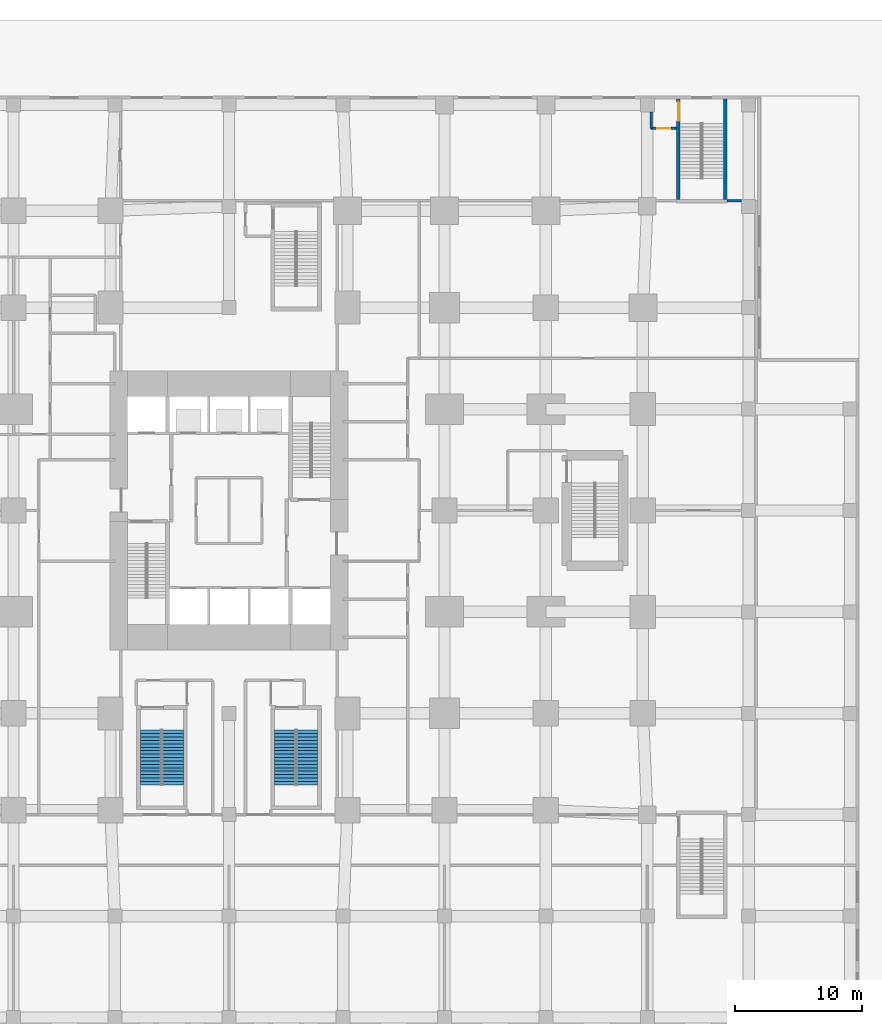
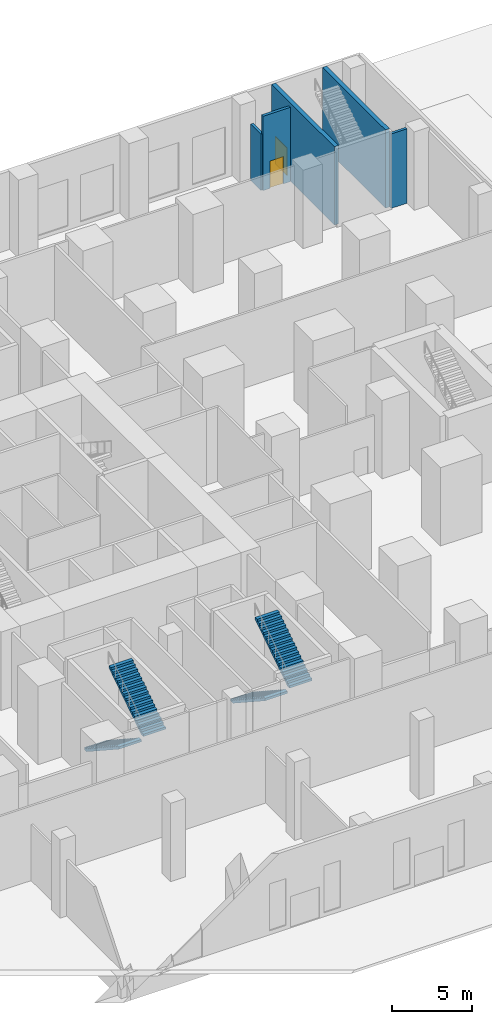
# One storey, part 12 of 16: 5 walls, 4 stair flights, 2 doors, 2 openings, 2 elements without a shape of their own.
"""IFC4 building model written with IfcOpenShell, lengths in metres."""

from ifc_helpers import new_model, si_unit, direction, frame, frame_2d, origin, place, context, subcontext, project, spatial, polyline, rectangle, outline, extrude, material, layer, layer_set, type_object, element, fill, aggregate, save


model = new_model("IFC4")

# Units and contexts
model_context = context("Model", 3, precision=1e-05, world=origin(), true_north=direction((0.0, 1.0)))
body_context = subcontext(model_context, "Body", "Model", "MODEL_VIEW")
ifc_project = project(units=[si_unit("LENGTHUNIT", "METRE"), si_unit("AREAUNIT", "SQUARE_METRE"), si_unit("VOLUMEUNIT", "CUBIC_METRE"), si_unit("PLANEANGLEUNIT", "RADIAN"), si_unit("MASSUNIT", "GRAM", prefix="KILO")], contexts=[model_context])

# Site, building, storey
site_placement = place(None, origin())
site = spatial("IfcSite", under=ifc_project, at=site_placement, CompositionType="ELEMENT")
building_placement = place(site_placement, origin())
building = spatial("IfcBuilding", under=site, at=building_placement, Name="Cleftline Residences", CompositionType="ELEMENT")
storey_placement = place(building_placement, origin())
storey = spatial("IfcBuildingStorey", under=building, at=storey_placement, Name="L00", CompositionType="ELEMENT", Elevation=0.0)

# Wall
ifc_material_1 = material(Name="Concrete blockwork, fire rated", Category="masonry")
ifc_layer_1 = layer(ifc_material_1, 0.199951171875)
ifc_layer_set_1 = layer_set([ifc_layer_1], Name="FIRE WALL 200")
wall_type_1 = type_object("IfcWallType", Name="FIRE WALL 200", PredefinedType="PARTITIONING", material=ifc_layer_set_1)
wall_1_placement = place(storey_placement, frame((72.300048828125, 48.449951171875, 0.0), z_axis=(0.0, 0.0, 1.0), x_axis=(1.0, 0.0, 0.0)))
element("IfcWall", 1, at=wall_1_placement, inside=storey, type_object=wall_type_1, Name="Fire separating wall", PredefinedType="PARTITIONING", context=body_context, shape_type="SweptSolid", body=[
    extrude(rectangle(XDim=1.14990234375, YDim=0.199951171875, at=frame_2d((0.574951171875, 0.0))), origin(), (0.0, 0.0, 1.0), 5.699951171875),
])

# Wall, opening, door
wall_2_placement = place(storey_placement, frame((66.300048828125, 54.14990234375, 0.0), z_axis=(0.0, 0.0, 1.0), x_axis=(1.0, 0.0, 0.0)))
wall_2 = element("IfcWall", 2, at=wall_2_placement, inside=storey, type_object=wall_type_1, Name="Fire separating wall", PredefinedType="PARTITIONING", context=body_context, shape_type="SweptSolid", body=[
    extrude(rectangle(XDim=2.0, YDim=0.199951171875, at=frame_2d((1.0, 0.0))), origin(), (0.0, 0.0, 1.0), 5.699951171875),
])
opening_1_placement = place(wall_2_placement, frame((0.5, 0.0, 0.0)))
opening_1 = element("IfcOpeningElement", 3, at=opening_1_placement, cuts=wall_2, Name="Opening D2F60", PredefinedType="OPENING", context=body_context, shape_type="SweptSolid", body=[
    extrude(rectangle(XDim=1.0, YDim=2.10009765625, at=frame_2d((0.5, 1.050048828125))), frame((0.0, 0.10986328125, 0.0), z_axis=(0.0, -1.0, 0.0), x_axis=(1.0, 0.0, 0.0)), (0.0, 0.0, 1.0), 0.219970703125),
])
ifc_material_2 = material(Name="Timber veneer on solid core", Category="wood")
door_type_1 = type_object("IfcDoorType", Name="DOOR 1000X2100 EI 60", OperationType="SINGLE_SWING_LEFT", PredefinedType="DOOR", material=ifc_material_2)
door_1_placement = place(opening_1_placement, origin())
door_1 = element("IfcDoor", 4, at=door_1_placement, inside=storey, type_object=door_type_1, Name="Door to stair ps-e lobby", OperationType="SINGLE_SWING_LEFT", OverallHeight=2.10009765625, OverallWidth=1.0, PredefinedType="DOOR", context=body_context, shape_type="SweptSolid", body=[
    extrude(rectangle(XDim=1.0, YDim=2.10009765625, at=frame_2d((0.5, 1.050048828125))), frame((0.0, 0.02490234375, 0.0), z_axis=(0.0, -1.0, 0.0), x_axis=(1.0, 0.0, 0.0)), (0.0, 0.0, 1.0), 0.050048828125),
])
fill(opening_1, door_1)

# Wall
wall_3_placement = place(storey_placement, frame((66.300048828125, 54.14990234375, 0.0), z_axis=(0.0, 0.0, 1.0), x_axis=(0.0, 1.0, 0.0)))
element("IfcWall", 5, at=wall_3_placement, inside=storey, type_object=wall_type_1, Name="Fire separating wall", PredefinedType="PARTITIONING", context=body_context, shape_type="SweptSolid", body=[
    extrude(rectangle(XDim=1.300048828125, YDim=0.199951171875, at=frame_2d((0.64990234375, 0.0))), origin(), (0.0, 0.0, 1.0), 4.300048828125),
])

# Wall, opening, door
ifc_material_3 = material(Name="Concrete blockwork, fire rated", Category="masonry")
ifc_layer_2 = layer(ifc_material_3, 0.300048828125)
ifc_layer_set_2 = layer_set([ifc_layer_2], Name="STAIR ENCLOSURE WALL 300")
wall_type_2 = type_object("IfcWallType", Name="STAIR ENCLOSURE WALL 300", PredefinedType="PARTITIONING", material=ifc_layer_set_2)
wall_4_placement = place(storey_placement, frame((68.449951171875, 48.550048828125, 0.0), z_axis=(0.0, 0.0, 1.0), x_axis=(0.0, 1.0, 0.0)))
wall_4 = element("IfcWall", 6, at=wall_4_placement, inside=storey, type_object=wall_type_2, Name="Stair PS-E enclosure", PredefinedType="PARTITIONING", context=body_context, shape_type="SweptSolid", body=[
    extrude(rectangle(XDim=7.89990234375, YDim=0.300048828125, at=frame_2d((3.949951171875, 0.0))), origin(), (0.0, 0.0, 1.0), 6.0),
])
opening_2_placement = place(wall_4_placement, frame((6.18505859375, 0.0, 0.0)))
opening_2 = element("IfcOpeningElement", 7, at=opening_2_placement, cuts=wall_4, Name="Opening D12", PredefinedType="OPENING", context=body_context, shape_type="SweptSolid", body=[
    extrude(rectangle(XDim=1.5, YDim=2.10009765625, at=frame_2d((0.75, 1.050048828125))), frame((0.0, 0.159912109375, 0.0), z_axis=(0.0, -1.0, 0.0), x_axis=(1.0, 0.0, 0.0)), (0.0, 0.0, 1.0), 0.320068359375),
])
ifc_material_4 = material(Name="Steel", Category="steel")
door_type_2 = type_object("IfcDoorType", Name="STAIR DOOR 1500X2100", OperationType="DOUBLE_DOOR_SINGLE_SWING", PredefinedType="DOOR", material=ifc_material_4)
door_2_placement = place(opening_2_placement, origin())
door_2 = element("IfcDoor", 8, at=door_2_placement, inside=storey, type_object=door_type_2, Name="Stair PS-E door", OperationType="DOUBLE_DOOR_SINGLE_SWING", OverallHeight=2.10009765625, OverallWidth=1.5, PredefinedType="DOOR", context=body_context, shape_type="SweptSolid", body=[
    extrude(rectangle(XDim=1.5, YDim=2.10009765625, at=frame_2d((0.75, 1.050048828125))), frame((0.0, 0.02490234375, 0.0), z_axis=(0.0, -1.0, 0.0), x_axis=(1.0, 0.0, 0.0)), (0.0, 0.0, 1.0), 0.050048828125),
])
fill(opening_2, door_2)

# Wall
wall_5_placement = place(storey_placement, frame((72.14990234375, 48.550048828125, 0.0), z_axis=(0.0, 0.0, 1.0), x_axis=(0.0, 1.0, 0.0)))
element("IfcWall", 9, at=wall_5_placement, inside=storey, type_object=wall_type_2, Name="Stair PS-E enclosure", PredefinedType="PARTITIONING", context=body_context, shape_type="SweptSolid", body=[
    extrude(rectangle(XDim=7.89990234375, YDim=0.300048828125, at=frame_2d((3.949951171875, 0.0))), origin(), (0.0, 0.0, 1.0), 6.0),
])

# Stair, stair flights
ifc_material_5 = material(Name="Concrete B45, stone treads", Category="masonry")
stair_type_1 = type_object("IfcStairType", Name="STAIR C 1630 WIDE 176 RISER", PredefinedType="HALF_TURN_STAIR", material=ifc_material_5)
stair_1_placement = place(storey_placement, origin())
stair_1 = element("IfcStair", 10, at=stair_1_placement, inside=storey, type_object=stair_type_1, Name="Stair C L00", PredefinedType="HALF_TURN_STAIR")
ifc_material_6 = material(Name="Concrete B45", Category="concrete")
stair_flight_type_1 = type_object("IfcStairFlightType", Name="STAIR C FLIGHT 1630X176", PredefinedType="STRAIGHT", material=ifc_material_6)
stair_flight_1_placement = place(storey_placement, frame((26.81494140625, 6.669921875, 0.0), z_axis=(0.0, 0.0, 1.0), x_axis=(0.0, -1.0, 0.0)))
stair_flight_1 = element("IfcStairFlight", 11, at=stair_flight_1_placement, type_object=stair_flight_type_1, Name="ST-C flight 1", NumberOfRisers=17, NumberOfTreads=16, PredefinedType="STRAIGHT", RiserHeight=0.176470588, TreadLength=0.27, context=body_context, shape_type="SweptSolid", body=[
    extrude(outline(polyline([(0.0, 0.0), (0.0, 0.013671875), (0.0, 0.027099609375), (0.0, 0.040771484375), (0.0, 0.05419921875), (0.0, 0.06787109375), (0.0, 0.08154296875), (0.0, 0.094970703125), (0.0, 0.108642578125), (0.0, 0.1220703125), (0.0, 0.1357421875), (0.0, 0.1494140625), (0.0, 0.162841796875), (0.0, 0.176513671875), (0.27001953125, 0.176513671875), (0.27001953125, 0.35302734375), (0.5400390625, 0.35302734375), (0.5400390625, 0.529296875), (0.81005859375, 0.529296875), (0.81005859375, 0.705810546875), (1.080078125, 0.705810546875), (1.080078125, 0.88232421875), (1.35009765625, 0.88232421875), (1.35009765625, 1.058837890625), (1.6201171875, 1.058837890625), (1.6201171875, 1.2353515625), (1.889892578125, 1.2353515625), (1.889892578125, 1.411865234375), (2.159912109375, 1.411865234375), (2.159912109375, 1.588134765625), (2.429931640625, 1.588134765625), (2.429931640625, 1.7646484375), (2.699951171875, 1.7646484375), (2.699951171875, 1.941162109375), (2.969970703125, 1.941162109375), (2.969970703125, 2.11767578125), (3.239990234375, 2.11767578125), (3.239990234375, 2.294189453125), (3.510009765625, 2.294189453125), (3.510009765625, 2.470703125), (3.780029296875, 2.470703125), (3.780029296875, 2.64697265625), (4.050048828125, 2.64697265625), (4.050048828125, 2.823486328125), (4.320068359375, 2.823486328125), (4.320068359375, 3.0), (4.320068359375, 2.97265625), (4.320068359375, 2.9453125), (4.320068359375, 2.91796875), (4.320068359375, 2.890625), (4.320068359375, 2.86328125), (4.320068359375, 2.8359375), (4.320068359375, 2.80859375), (4.320068359375, 2.78125), (4.320068359375, 2.75390625), (4.320068359375, 2.7265625), (4.320068359375, 2.69921875), (4.320068359375, 2.671875), (4.320068359375, 2.64453125), (0.27392578125, 0.0), (0.0, 0.0)])), frame((0.0, 0.81494140625, 0.0), z_axis=(0.0, -1.0, 0.0), x_axis=(1.0, 0.0, 0.0)), (0.0, 0.0, 1.0), 1.6298828125),
])
stair_flight_2_placement = place(storey_placement, frame((28.5849609375, 2.35009765625, 3.0), z_axis=(0.0, 0.0, 1.0), x_axis=(0.0, 1.0, 0.0)))
stair_flight_2 = element("IfcStairFlight", 12, at=stair_flight_2_placement, type_object=stair_flight_type_1, Name="ST-C flight 2", NumberOfRisers=17, NumberOfTreads=16, PredefinedType="STRAIGHT", RiserHeight=0.176470588, TreadLength=0.27, context=body_context, shape_type="SweptSolid", body=[
    extrude(outline(polyline([(0.0, 0.0), (0.0, 0.013671875), (0.0, 0.027099609375), (0.0, 0.040771484375), (0.0, 0.05419921875), (0.0, 0.06787109375), (0.0, 0.08154296875), (0.0, 0.094970703125), (0.0, 0.108642578125), (0.0, 0.1220703125), (0.0, 0.1357421875), (0.0, 0.1494140625), (0.0, 0.162841796875), (0.0, 0.176513671875), (0.27001953125, 0.176513671875), (0.27001953125, 0.35302734375), (0.5400390625, 0.35302734375), (0.5400390625, 0.529296875), (0.81005859375, 0.529296875), (0.81005859375, 0.705810546875), (1.080078125, 0.705810546875), (1.080078125, 0.88232421875), (1.35009765625, 0.88232421875), (1.35009765625, 1.058837890625), (1.6201171875, 1.058837890625), (1.6201171875, 1.2353515625), (1.889892578125, 1.2353515625), (1.889892578125, 1.411865234375), (2.159912109375, 1.411865234375), (2.159912109375, 1.588134765625), (2.429931640625, 1.588134765625), (2.429931640625, 1.7646484375), (2.699951171875, 1.7646484375), (2.699951171875, 1.941162109375), (2.969970703125, 1.941162109375), (2.969970703125, 2.11767578125), (3.239990234375, 2.11767578125), (3.239990234375, 2.294189453125), (3.510009765625, 2.294189453125), (3.510009765625, 2.470703125), (3.780029296875, 2.470703125), (3.780029296875, 2.64697265625), (4.050048828125, 2.64697265625), (4.050048828125, 2.823486328125), (4.320068359375, 2.823486328125), (4.320068359375, 3.0), (4.320068359375, 2.97265625), (4.320068359375, 2.9453125), (4.320068359375, 2.91796875), (4.320068359375, 2.890625), (4.320068359375, 2.86328125), (4.320068359375, 2.8359375), (4.320068359375, 2.80859375), (4.320068359375, 2.78125), (4.320068359375, 2.75390625), (4.320068359375, 2.7265625), (4.320068359375, 2.69921875), (4.320068359375, 2.671875), (4.320068359375, 2.64453125), (0.27392578125, 0.0), (0.0, 0.0)])), frame((0.0, 0.81494140625, 0.0), z_axis=(0.0, -1.0, 0.0), x_axis=(1.0, 0.0, 0.0)), (0.0, 0.0, 1.0), 1.6298828125),
])
aggregate(stair_1, [stair_flight_1, stair_flight_2])

ifc_material_7 = material(Name="Concrete B45, stone treads", Category="masonry")
stair_type_2 = type_object("IfcStairType", Name="STAIR C2 1630 WIDE 176 RISER", PredefinedType="HALF_TURN_STAIR", material=ifc_material_7)
stair_2_placement = place(storey_placement, origin())
stair_2 = element("IfcStair", 13, at=stair_2_placement, inside=storey, type_object=stair_type_2, Name="Stair C2 L00", PredefinedType="HALF_TURN_STAIR")
ifc_material_8 = material(Name="Concrete B45", Category="concrete")
stair_flight_type_2 = type_object("IfcStairFlightType", Name="STAIR C2 FLIGHT 1630X176", PredefinedType="STRAIGHT", material=ifc_material_8)
stair_flight_3_placement = place(storey_placement, frame((37.4150390625, 6.669921875, 0.0), z_axis=(0.0, 0.0, 1.0), x_axis=(0.0, -1.0, 0.0)))
stair_flight_3 = element("IfcStairFlight", 14, at=stair_flight_3_placement, type_object=stair_flight_type_2, Name="ST-C2 flight 1", NumberOfRisers=17, NumberOfTreads=16, PredefinedType="STRAIGHT", RiserHeight=0.176470588, TreadLength=0.27, context=body_context, shape_type="SweptSolid", body=[
    extrude(outline(polyline([(0.0, 0.0), (0.0, 0.013671875), (0.0, 0.027099609375), (0.0, 0.040771484375), (0.0, 0.05419921875), (0.0, 0.06787109375), (0.0, 0.08154296875), (0.0, 0.094970703125), (0.0, 0.108642578125), (0.0, 0.1220703125), (0.0, 0.1357421875), (0.0, 0.1494140625), (0.0, 0.162841796875), (0.0, 0.176513671875), (0.27001953125, 0.176513671875), (0.27001953125, 0.35302734375), (0.5400390625, 0.35302734375), (0.5400390625, 0.529296875), (0.81005859375, 0.529296875), (0.81005859375, 0.705810546875), (1.080078125, 0.705810546875), (1.080078125, 0.88232421875), (1.35009765625, 0.88232421875), (1.35009765625, 1.058837890625), (1.6201171875, 1.058837890625), (1.6201171875, 1.2353515625), (1.889892578125, 1.2353515625), (1.889892578125, 1.411865234375), (2.159912109375, 1.411865234375), (2.159912109375, 1.588134765625), (2.429931640625, 1.588134765625), (2.429931640625, 1.7646484375), (2.699951171875, 1.7646484375), (2.699951171875, 1.941162109375), (2.969970703125, 1.941162109375), (2.969970703125, 2.11767578125), (3.239990234375, 2.11767578125), (3.239990234375, 2.294189453125), (3.510009765625, 2.294189453125), (3.510009765625, 2.470703125), (3.780029296875, 2.470703125), (3.780029296875, 2.64697265625), (4.050048828125, 2.64697265625), (4.050048828125, 2.823486328125), (4.320068359375, 2.823486328125), (4.320068359375, 3.0), (4.320068359375, 2.97265625), (4.320068359375, 2.9453125), (4.320068359375, 2.91796875), (4.320068359375, 2.890625), (4.320068359375, 2.86328125), (4.320068359375, 2.8359375), (4.320068359375, 2.80859375), (4.320068359375, 2.78125), (4.320068359375, 2.75390625), (4.320068359375, 2.7265625), (4.320068359375, 2.69921875), (4.320068359375, 2.671875), (4.320068359375, 2.64453125), (0.27392578125, 0.0), (0.0, 0.0)])), frame((0.0, 0.81494140625, 0.0), z_axis=(0.0, -1.0, 0.0), x_axis=(1.0, 0.0, 0.0)), (0.0, 0.0, 1.0), 1.6298828125),
])
stair_flight_4_placement = place(storey_placement, frame((39.18505859375, 2.35009765625, 3.0), z_axis=(0.0, 0.0, 1.0), x_axis=(0.0, 1.0, 0.0)))
stair_flight_4 = element("IfcStairFlight", 15, at=stair_flight_4_placement, type_object=stair_flight_type_2, Name="ST-C2 flight 2", NumberOfRisers=17, NumberOfTreads=16, PredefinedType="STRAIGHT", RiserHeight=0.176470588, TreadLength=0.27, context=body_context, shape_type="SweptSolid", body=[
    extrude(outline(polyline([(0.0, 0.0), (0.0, 0.013671875), (0.0, 0.027099609375), (0.0, 0.040771484375), (0.0, 0.05419921875), (0.0, 0.06787109375), (0.0, 0.08154296875), (0.0, 0.094970703125), (0.0, 0.108642578125), (0.0, 0.1220703125), (0.0, 0.1357421875), (0.0, 0.1494140625), (0.0, 0.162841796875), (0.0, 0.176513671875), (0.27001953125, 0.176513671875), (0.27001953125, 0.35302734375), (0.5400390625, 0.35302734375), (0.5400390625, 0.529296875), (0.81005859375, 0.529296875), (0.81005859375, 0.705810546875), (1.080078125, 0.705810546875), (1.080078125, 0.88232421875), (1.35009765625, 0.88232421875), (1.35009765625, 1.058837890625), (1.6201171875, 1.058837890625), (1.6201171875, 1.2353515625), (1.889892578125, 1.2353515625), (1.889892578125, 1.411865234375), (2.159912109375, 1.411865234375), (2.159912109375, 1.588134765625), (2.429931640625, 1.588134765625), (2.429931640625, 1.7646484375), (2.699951171875, 1.7646484375), (2.699951171875, 1.941162109375), (2.969970703125, 1.941162109375), (2.969970703125, 2.11767578125), (3.239990234375, 2.11767578125), (3.239990234375, 2.294189453125), (3.510009765625, 2.294189453125), (3.510009765625, 2.470703125), (3.780029296875, 2.470703125), (3.780029296875, 2.64697265625), (4.050048828125, 2.64697265625), (4.050048828125, 2.823486328125), (4.320068359375, 2.823486328125), (4.320068359375, 3.0), (4.320068359375, 2.97265625), (4.320068359375, 2.9453125), (4.320068359375, 2.91796875), (4.320068359375, 2.890625), (4.320068359375, 2.86328125), (4.320068359375, 2.8359375), (4.320068359375, 2.80859375), (4.320068359375, 2.78125), (4.320068359375, 2.75390625), (4.320068359375, 2.7265625), (4.320068359375, 2.69921875), (4.320068359375, 2.671875), (4.320068359375, 2.64453125), (0.27392578125, 0.0), (0.0, 0.0)])), frame((0.0, 0.81494140625, 0.0), z_axis=(0.0, -1.0, 0.0), x_axis=(1.0, 0.0, 0.0)), (0.0, 0.0, 1.0), 1.6298828125),
])
aggregate(stair_2, [stair_flight_3, stair_flight_4])

save(model, "model.ifc")
